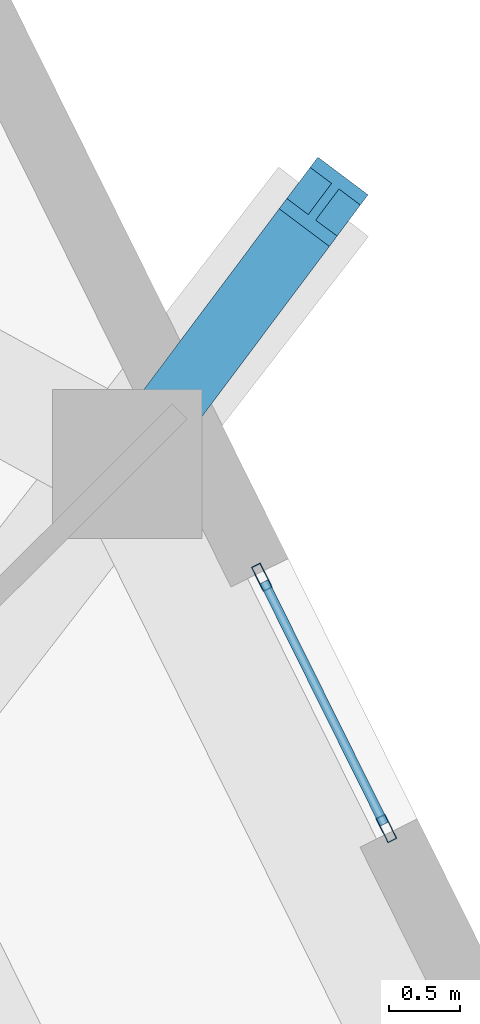
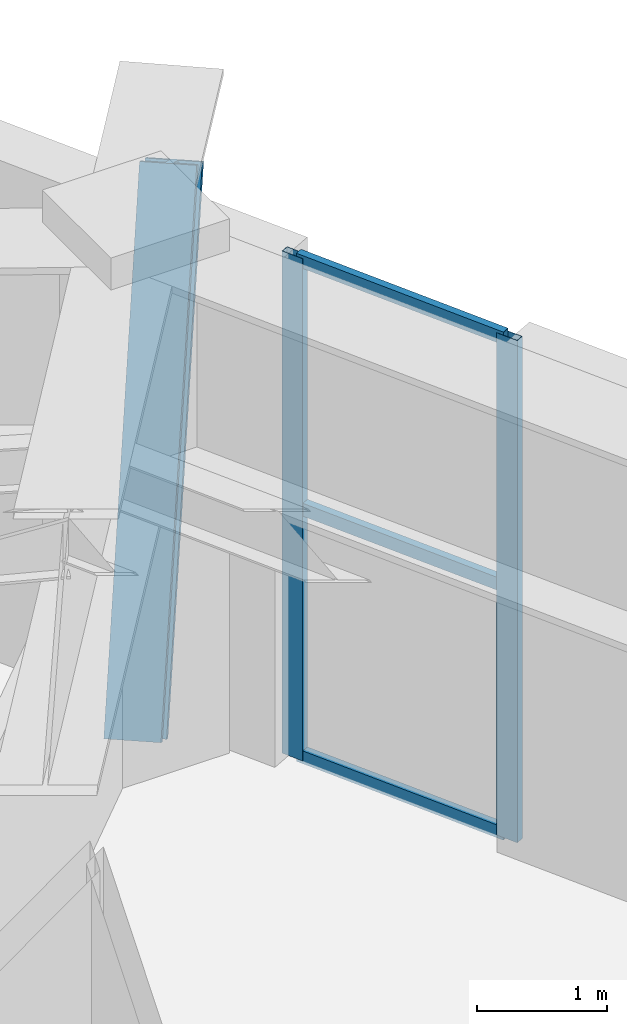
# One storey, part 11 of 18: 6 members, 1 element without a shape of its own.
"""IFC4 building model written with IfcOpenShell, lengths in metres."""

from ifc_helpers import new_model, si_unit, direction, frame, origin, origin_2d, place, context, subcontext, project, spatial, hollow_rectangle, i_section, extrude, material, layer, layer_set, material_profile, profile_set, type_object, element, aggregate, save


model = new_model("IFC4")

# Units and contexts
model_context = context("Model", 3, precision=1e-05, world=origin(), true_north=direction((0.0, 1.0)))
body_context = subcontext(model_context, "Body", "Model", "MODEL_VIEW")
ifc_project = project(units=[si_unit("LENGTHUNIT", "METRE"), si_unit("AREAUNIT", "SQUARE_METRE"), si_unit("VOLUMEUNIT", "CUBIC_METRE"), si_unit("PLANEANGLEUNIT", "RADIAN"), si_unit("MASSUNIT", "GRAM", prefix="KILO")], contexts=[model_context])

# Site, building, storey
site_placement = place(None, origin())
site = spatial("IfcSite", under=ifc_project, at=site_placement, CompositionType="ELEMENT")
building_placement = place(site_placement, origin())
building = spatial("IfcBuilding", under=site, at=building_placement, Name="Kilnhurst Terrace Hotel", CompositionType="ELEMENT")
storey_placement = place(building_placement, frame((0.0, 0.0, 201.5)))
storey = spatial("IfcBuildingStorey", under=building, at=storey_placement, Name="L50", CompositionType="ELEMENT", Elevation=201.5)

# Curtain wall, members
ifc_material_1 = material(Name="Anodized Aluminium Alloy 6063-T6 and Low-E Glass", Category="aluminium")
ifc_layer = layer(ifc_material_1, 0.219970703125, Name="Anodized Aluminium Alloy 6063-T6 and Low-E Glass")
ifc_layer_set = layer_set([ifc_layer], Name="Anodized Aluminium Alloy 6063-T6 and Low-E Glass")
curtain_wall_type = type_object("IfcCurtainWallType", Name="CW-SPA-L50", PredefinedType="NOTDEFINED", material=ifc_layer_set)
curtain_wall_placement = place(storey_placement, origin())
curtain_wall = element("IfcCurtainWall", 1, at=curtain_wall_placement, inside=storey, type_object=curtain_wall_type, Name="L50 Curtain Wall CW-L50-F3-2", PredefinedType="NOTDEFINED")
ifc_material_2 = material(Name="Extruded Aluminium Alloy 6063-T6", Category="aluminium")
ifc_material_profile_1 = material_profile(ifc_material_2, hollow_rectangle(XDim=0.070068359375, YDim=0.18994140625, WallThickness=0.00390625, at=origin_2d()), Name="CWM70X190")
ifc_profile_set_1 = profile_set([ifc_material_profile_1], Name="Extruded Aluminium Alloy 6063-T6")
member_type_1 = type_object("IfcMemberType", Name="MEM-CWM70X190", PredefinedType="MULLION", material=ifc_profile_set_1)
member_1_placement = place(storey_placement, frame((16.029296875, 11.598876953125, 0.0), z_axis=(0.0, 0.0, 1.0), x_axis=(-0.895888649788, -0.44427865938, 0.0)))
member_1 = element("IfcMember", 2, at=member_1_placement, type_object=member_type_1, Name="CWA-4 mullion 1", PredefinedType="MULLION", context=body_context, shape_type="SweptSolid", body=[
    extrude(hollow_rectangle(XDim=0.070068359375, YDim=0.18994140625, WallThickness=0.00390625, at=origin_2d()), origin(), (0.0, 0.0, 1.0), 4.699951171875),
])
member_2_placement = place(storey_placement, frame((15.1513671875, 13.369140625, 0.0), z_axis=(0.0, 0.0, 1.0), x_axis=(-0.895888649788, -0.44427865938, 0.0)))
member_2 = element("IfcMember", 3, at=member_2_placement, type_object=member_type_1, Name="CWA-4 mullion 2", PredefinedType="MULLION", context=body_context, shape_type="SweptSolid", body=[
    extrude(hollow_rectangle(XDim=0.070068359375, YDim=0.18994140625, WallThickness=0.00390625, at=origin_2d()), origin(), (0.0, 0.0, 1.0), 4.699951171875),
])
ifc_material_profile_2 = material_profile(ifc_material_2, hollow_rectangle(XDim=0.06494140625, YDim=0.1201171875, WallThickness=0.00341796875, at=origin_2d()), Name="CWT65X120")
ifc_profile_set_2 = profile_set([ifc_material_profile_2], Name="Extruded Aluminium Alloy 6063-T6")
member_type_2 = type_object("IfcMemberType", Name="MEM-CWT65X120", PredefinedType="USERDEFINED", material=ifc_profile_set_2)
member_3_placement = place(storey_placement, frame((16.013916015625, 11.630126953125, 0.032470703125), z_axis=(-0.444342092165, 0.895857190143, 0.0), x_axis=(-0.895857190143, -0.444342092165, 0.0)))
member_3 = element("IfcMember", 4, at=member_3_placement, type_object=member_type_2, Name="CWA-4 transom 1.1", ObjectType="TRANSOM", PredefinedType="USERDEFINED", context=body_context, shape_type="SweptSolid", body=[
    extrude(hollow_rectangle(XDim=0.06494140625, YDim=0.1201171875, WallThickness=0.00341796875, at=origin_2d()), origin(), (0.0, 0.0, 1.0), 1.906005859375),
])
member_4_placement = place(storey_placement, frame((16.013916015625, 11.630126953125, 2.35009765625), z_axis=(-0.444342092165, 0.895857190143, 0.0), x_axis=(-0.895857190143, -0.444342092165, 0.0)))
member_4 = element("IfcMember", 5, at=member_4_placement, type_object=member_type_2, Name="CWA-4 transom 1.2", ObjectType="TRANSOM", PredefinedType="USERDEFINED", context=body_context, shape_type="SweptSolid", body=[
    extrude(hollow_rectangle(XDim=0.06494140625, YDim=0.1201171875, WallThickness=0.00341796875, at=origin_2d()), origin(), (0.0, 0.0, 1.0), 1.906005859375),
])
member_5_placement = place(storey_placement, frame((16.013916015625, 11.630126953125, 4.66748046875), z_axis=(-0.444342092165, 0.895857190143, 0.0), x_axis=(-0.895857190143, -0.444342092165, 0.0)))
member_5 = element("IfcMember", 6, at=member_5_placement, type_object=member_type_2, Name="CWA-4 transom 1.3", ObjectType="TRANSOM", PredefinedType="USERDEFINED", context=body_context, shape_type="SweptSolid", body=[
    extrude(hollow_rectangle(XDim=0.06494140625, YDim=0.1201171875, WallThickness=0.00341796875, at=origin_2d()), origin(), (0.0, 0.0, 1.0), 1.906005859375),
])
aggregate(curtain_wall, [member_1, member_2, member_3, member_4, member_5])

# Member
ifc_material_3 = material(Name="Steel ASTM A992 Grade 50", Category="steel")
ifc_material_profile_3 = material_profile(ifc_material_3, i_section(OverallWidth=0.44189453125, OverallDepth=0.531494140625, WebThickness=0.06591796875, FlangeThickness=0.105712890625, at=origin_2d()), Name="W14X605")
ifc_profile_set_3 = profile_set([ifc_material_profile_3], Name="Steel ASTM A992 Grade 50")
member_type_3 = type_object("IfcMemberType", Name="MEM-OTR-DIAG-605", PredefinedType="BRACE", material=ifc_profile_set_3)
member_6_placement = place(storey_placement, frame((14.2041015625, 14.166015625, 0.0), z_axis=(0.311049501292, 0.415446588502, 0.854782042305), x_axis=(-0.800494944476, 0.599339506347, 0.0)))
element("IfcMember", 7, at=member_6_placement, inside=storey, type_object=member_type_3, Name="L50 Waist Flare Inclined Column Strut 6", PredefinedType="BRACE", context=body_context, shape_type="SweptSolid", body=[
    extrude(i_section(OverallWidth=0.44189453125, OverallDepth=0.531494140625, WebThickness=0.06591796875, FlangeThickness=0.105712890625, at=origin_2d()), origin(), (0.0, 0.0, 1.0), 4.445556640625),
])

save(model, "model.ifc")
